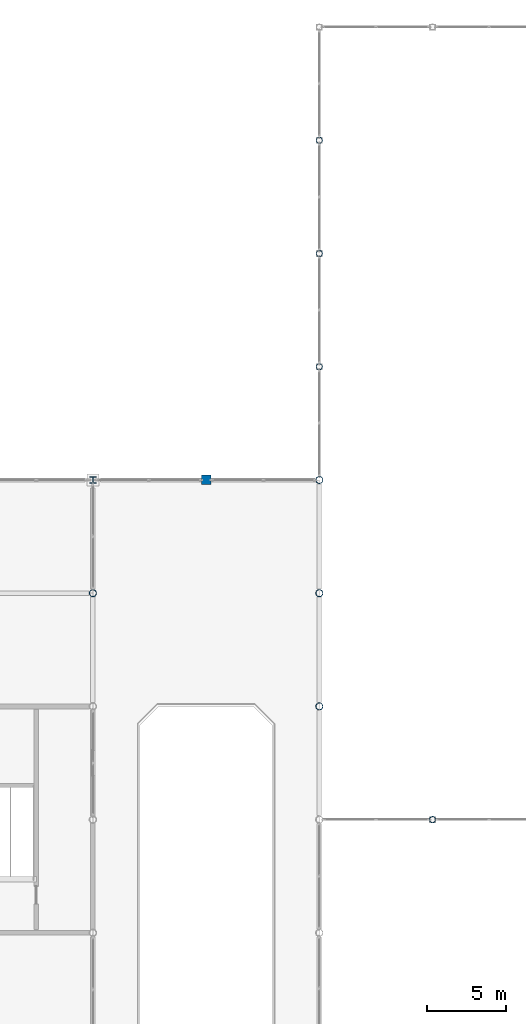
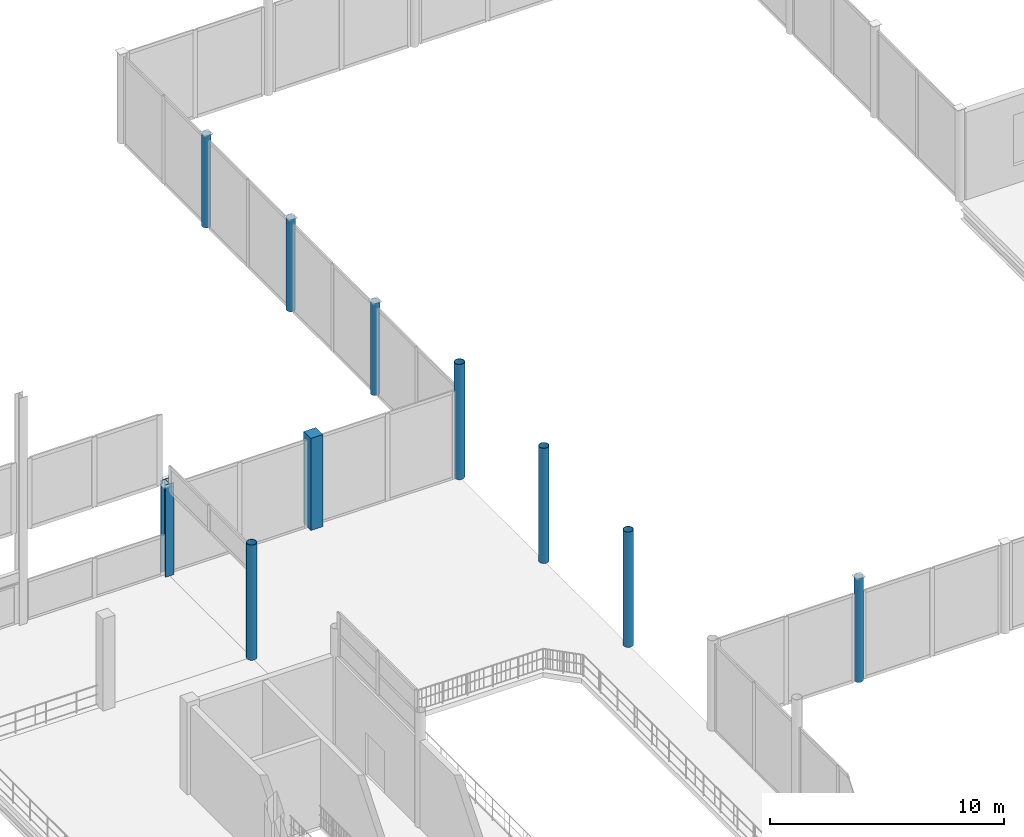
# One storey, part 9 of 120: 10 columns.
"""IFC4 building model written with IfcOpenShell, lengths in metres."""

from ifc_helpers import new_model, si_unit, direction, frame, origin, origin_2d, place, context, subcontext, project, spatial, rectangle, hollow_circle, i_section, extrude, material, material_profile, profile_set, type_object, element, save


model = new_model("IFC4")

# Units and contexts
model_context = context("Model", 3, precision=1e-05, world=origin(), true_north=direction((0.0, 1.0)))
body_context = subcontext(model_context, "Body", "Model", "MODEL_VIEW")
ifc_project = project(units=[si_unit("LENGTHUNIT", "METRE"), si_unit("AREAUNIT", "SQUARE_METRE"), si_unit("VOLUMEUNIT", "CUBIC_METRE"), si_unit("PLANEANGLEUNIT", "RADIAN"), si_unit("MASSUNIT", "GRAM", prefix="KILO")], contexts=[model_context])

# Site, building, storey
site_placement = place(None, origin())
site = spatial("IfcSite", under=ifc_project, at=site_placement, CompositionType="ELEMENT")
building_placement = place(site_placement, origin())
building = spatial("IfcBuilding", under=site, at=building_placement, Name="Vesperath Aquatics Centre", CompositionType="ELEMENT")
storey_placement = place(building_placement, frame((0.0, 0.0, 10.199951171875)))
storey = spatial("IfcBuildingStorey", under=building, at=storey_placement, Name="L02", CompositionType="ELEMENT", Elevation=10.199951171875)

# Columns
ifc_material_1 = material(Name="Concrete C40", Category="concrete")
ifc_material_profile_1 = material_profile(ifc_material_1, rectangle(XDim=0.60009765625, YDim=0.60009765625, at=origin_2d()), Name="RC 600x600")
ifc_profile_set_1 = profile_set([ifc_material_profile_1], Name="Concrete C40")
column_type_1 = type_object("IfcColumnType", Name="CL-C06", PredefinedType="COLUMN", material=ifc_profile_set_1)
column_1_placement = place(storey_placement, frame((108.0, 86.39990234375, 0.0), z_axis=(0.0, 0.0, 1.0), x_axis=(1.0, 0.0, 0.0)))
element("IfcColumn", 1, at=column_1_placement, inside=storey, type_object=column_type_1, Name="Column C06 L02 16/N", PredefinedType="COLUMN", context=body_context, shape_type="SweptSolid", body=[
    extrude(rectangle(XDim=0.60009765625, YDim=0.60009765625, at=origin_2d()), origin(), (0.0, 0.0, 1.0), 4.800048828125),
])
ifc_material_2 = material(Name="Steel Q355D", Category="steel")
ifc_material_profile_2 = material_profile(ifc_material_2, i_section(OverallWidth=0.406982421875, OverallDepth=0.427978515625, WebThickness=0.02001953125, FlangeThickness=0.034912109375, FilletRadius=0.02197265625, at=origin_2d()), Name="HW 428x407x20x35")
ifc_profile_set_2 = profile_set([ifc_material_profile_2], Name="Steel Q355D")
column_type_2 = type_object("IfcColumnType", Name="CL-C09", PredefinedType="COLUMN", material=ifc_profile_set_2)
column_2_placement = place(storey_placement, frame((100.800048828125, 86.39990234375, 0.0), z_axis=(0.0, 0.0, 1.0), x_axis=(1.0, 0.0, 0.0)))
element("IfcColumn", 2, at=column_2_placement, inside=storey, type_object=column_type_2, Name="Column C09 L02 15/N", PredefinedType="COLUMN", context=body_context, shape_type="SweptSolid", body=[
    extrude(i_section(OverallWidth=0.406982421875, OverallDepth=0.427978515625, WebThickness=0.02001953125, FlangeThickness=0.034912109375, FilletRadius=0.02197265625, at=origin_2d()), origin(), (0.0, 0.0, 1.0), 4.800048828125),
])
ifc_material_profile_3 = material_profile(ifc_material_2, hollow_circle(Radius=0.228515625, WallThickness=0.02001953125, at=origin_2d()), Name="CHS 457.0x20")
ifc_profile_set_3 = profile_set([ifc_material_profile_3], Name="Steel Q355D")
column_type_3 = type_object("IfcColumnType", Name="CL-C13", PredefinedType="COLUMN", material=ifc_profile_set_3)
for number, where, z_axis, x_axis, name in (
    (3, (100.800048828125, 79.199951171875, 0.0), (0.0, 0.0, 1.0), (1.0, 0.0, 0.0), "Column C13 L02 15/M"),
    (4, (115.199951171875, 72.0, 0.0), (0.0, 0.0, 1.0), (1.0, 0.0, 0.0), "Column C13 L02 17/L"),
    (5, (115.199951171875, 79.199951171875, 0.0), (0.0, 0.0, 1.0), (1.0, 0.0, 0.0), "Column C13 L02 17/M"),
    (6, (115.199951171875, 86.39990234375, 0.0), (0.0, 0.0, 1.0), (1.0, 0.0, 0.0), "Column C13 L02 17/N"),
):
    element("IfcColumn", number, at=place(storey_placement, frame(where, z_axis=z_axis, x_axis=x_axis)), inside=storey, type_object=column_type_3, Name=name, PredefinedType="COLUMN", context=body_context, shape_type="SweptSolid", body=[
        extrude(hollow_circle(Radius=0.228515625, WallThickness=0.02001953125, at=origin_2d()), origin(), (0.0, 0.0, 1.0), 6.0),
    ])
ifc_material_profile_4 = material_profile(ifc_material_2, hollow_circle(Radius=0.203125, WallThickness=0.01611328125, at=origin_2d()), Name="CHS 406.4x16")
ifc_profile_set_4 = profile_set([ifc_material_profile_4], Name="Steel Q355D")
column_type_4 = type_object("IfcColumnType", Name="CL-C14", PredefinedType="COLUMN", material=ifc_profile_set_4)
for number, where, z_axis, x_axis, name in (
    (7, (115.199951171875, 93.60009765625, 0.0), (0.0, 0.0, 1.0), (1.0, 0.0, 0.0), "Column C14 L02 17/P"),
    (8, (115.199951171875, 100.800048828125, 0.0), (0.0, 0.0, 1.0), (1.0, 0.0, 0.0), "Column C14 L02 17/Q"),
    (9, (115.199951171875, 108.0, 0.0), (0.0, 0.0, 1.0), (1.0, 0.0, 0.0), "Column C14 L02 17/R"),
):
    element("IfcColumn", number, at=place(storey_placement, frame(where, z_axis=z_axis, x_axis=x_axis)), inside=storey, type_object=column_type_4, Name=name, PredefinedType="COLUMN", context=body_context, shape_type="SweptSolid", body=[
        extrude(hollow_circle(Radius=0.203125, WallThickness=0.01611328125, at=origin_2d()), origin(), (0.0, 0.0, 1.0), 4.800048828125),
    ])
column_3_placement = place(storey_placement, frame((122.39990234375, 64.800048828125, 0.0), z_axis=(0.0, 0.0, 1.0), x_axis=(1.0, 0.0, 0.0)))
element("IfcColumn", 10, at=column_3_placement, inside=storey, type_object=column_type_4, Name="Column C14 L02 18/K", PredefinedType="COLUMN", context=body_context, shape_type="SweptSolid", body=[
    extrude(hollow_circle(Radius=0.203125, WallThickness=0.01611328125, at=origin_2d()), origin(), (0.0, 0.0, 1.0), 5.405029296875),
])

save(model, "model.ifc")
